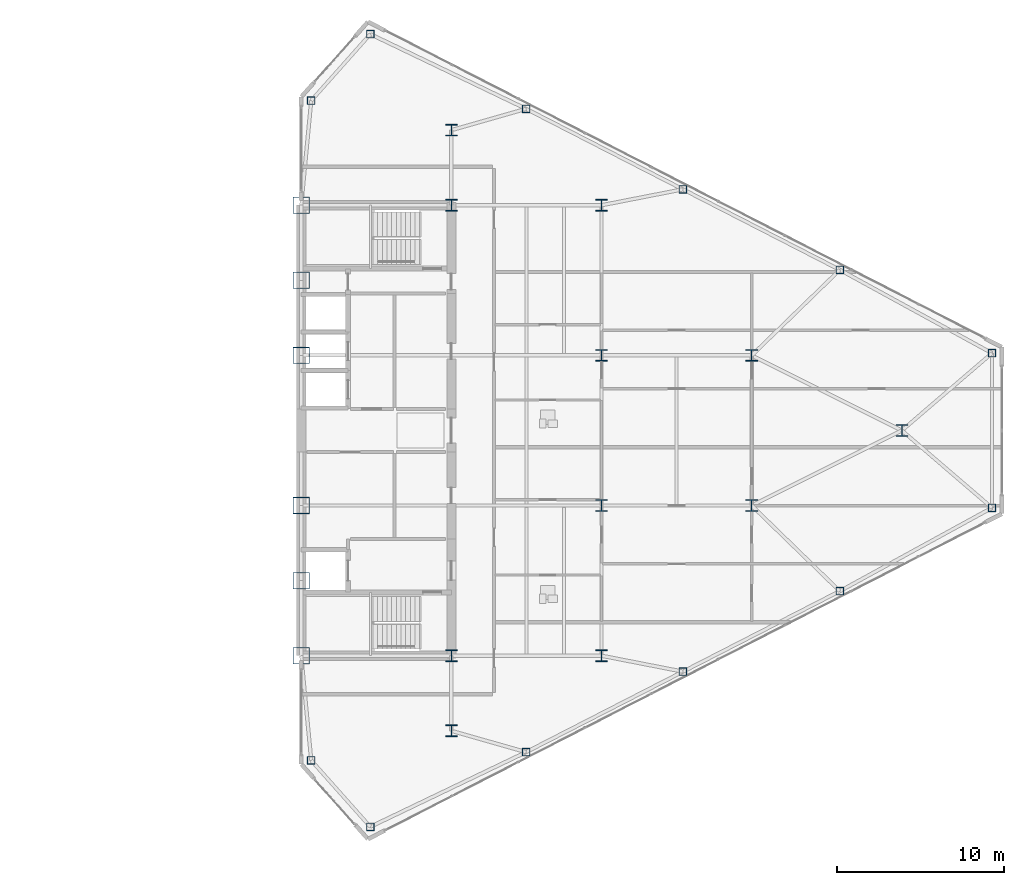
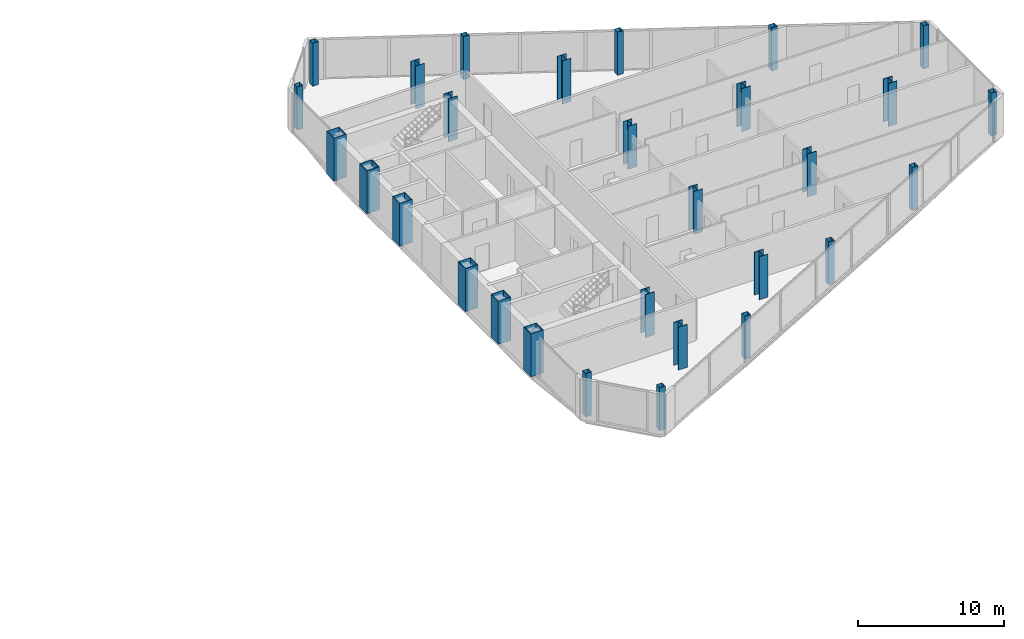
# One storey, part 2 of 23: 29 columns.
"""IFC4 building model written with IfcOpenShell, lengths in metres."""

from ifc_helpers import new_model, si_unit, direction, frame, origin, origin_2d, place, context, subcontext, project, spatial, hollow_rectangle, i_section, extrude, source, transform, mapped, material, material_profile, profile_set, type_object, type_shapes, element, save


model = new_model("IFC4")

# Units and contexts
model_context = context("Model", 3, precision=1e-05, world=origin(), true_north=direction((0.0, 1.0)))
body_context = subcontext(model_context, "Body", "Model", "MODEL_VIEW")
ifc_project = project(units=[si_unit("LENGTHUNIT", "METRE"), si_unit("AREAUNIT", "SQUARE_METRE"), si_unit("VOLUMEUNIT", "CUBIC_METRE"), si_unit("PLANEANGLEUNIT", "RADIAN"), si_unit("MASSUNIT", "GRAM", prefix="KILO")], contexts=[model_context])

# Site, building, storey
site_placement = place(None, origin())
site = spatial("IfcSite", under=ifc_project, at=site_placement, CompositionType="ELEMENT")
building_placement = place(site_placement, origin())
building = spatial("IfcBuilding", under=site, at=building_placement, Name="Seokmaru Belvedere", CompositionType="ELEMENT")
storey_placement = place(building_placement, frame((0.0, 0.0, 144.0)))
storey = spatial("IfcBuildingStorey", under=building, at=storey_placement, Name="L38", CompositionType="ELEMENT", Elevation=144.0)

# Columns
ifc_material_1 = material(Name="Steel HSA650 (650 MPa)", Category="steel")
ifc_material_profile_1 = material_profile(ifc_material_1, hollow_rectangle(XDim=1.0, YDim=1.0, WallThickness=0.0419921875, at=origin_2d()), Name="BOX-1000x1000x42")
ifc_profile_set_1 = profile_set([ifc_material_profile_1], Name="Steel HSA650 (650 MPa)")
column_type_1 = type_object("IfcColumnType", Name="Portal Spine Column BOX-1000", PredefinedType="COLUMN", material=ifc_profile_set_1)
shared_shape_1 = source(origin(), body_context, "Body", "SweptSolid", [
    extrude(hollow_rectangle(XDim=1.0, YDim=1.0, WallThickness=0.0419921875, at=origin_2d()), origin(), (0.0, 0.0, 1.0), 3.60009765625),
])
type_shapes(column_type_1, [shared_shape_1])
for number, where, z_axis, x_axis, name in (
    (1, (27.5, -13.5, 0.0), (0.0, 0.0, 1.0), (1.0, 0.0, 0.0), "L38 Column ES1"),
    (2, (27.5, -9.0, 0.0), (0.0, 0.0, 1.0), (1.0, 0.0, 0.0), "L38 Column ES2"),
    (3, (27.5, -4.5, 0.0), (0.0, 0.0, 1.0), (1.0, 0.0, 0.0), "L38 Column ES3"),
    (4, (27.5, 4.5, 0.0), (0.0, 0.0, 1.0), (1.0, 0.0, 0.0), "L38 Column ES4"),
    (5, (27.5, 9.0, 0.0), (0.0, 0.0, 1.0), (1.0, 0.0, 0.0), "L38 Column ES5"),
    (6, (27.5, 13.5, 0.0), (0.0, 0.0, 1.0), (1.0, 0.0, 0.0), "L38 Column ES6"),
):
    element("IfcColumn", number, at=place(storey_placement, frame(where, z_axis=z_axis, x_axis=x_axis)), inside=storey, type_object=column_type_1, Name=name, PredefinedType="COLUMN", context=body_context, shape_type="MappedRepresentation", body=[
        mapped(shared_shape_1, transform((0.0, 0.0, 0.0), scale=1.0)),
    ])
ifc_material_2 = material(Name="Steel SM355 (355 MPa)", Category="steel")
ifc_material_profile_2 = material_profile(ifc_material_2, i_section(OverallWidth=0.699951171875, OverallDepth=0.699951171875, WebThickness=0.028076171875, FlangeThickness=0.044921875, at=origin_2d()), Name="H-700x700x28x45")
ifc_profile_set_2 = profile_set([ifc_material_profile_2], Name="Steel SM355 (355 MPa)")
column_type_2 = type_object("IfcColumnType", Name="Mid Interior Column H-700", PredefinedType="COLUMN", material=ifc_profile_set_2)
shared_shape_2 = source(origin(), body_context, "Body", "SweptSolid", [
    extrude(i_section(OverallWidth=0.699951171875, OverallDepth=0.699951171875, WebThickness=0.028076171875, FlangeThickness=0.044921875, at=origin_2d()), origin(), (0.0, 0.0, 1.0), 3.60009765625),
])
type_shapes(column_type_2, [shared_shape_2])
for number, where, z_axis, x_axis, name in (
    (7, (36.5, -18.0, 0.0), (0.0, 0.0, 1.0), (1.0, 0.0, 0.0), "L38 Column EC1"),
    (8, (36.5, -13.5, 0.0), (0.0, 0.0, 1.0), (1.0, 0.0, 0.0), "L38 Column EC2"),
    (9, (36.5, 13.5, 0.0), (0.0, 0.0, 1.0), (1.0, 0.0, 0.0), "L38 Column EC3"),
    (10, (36.5, 18.0, 0.0), (0.0, 0.0, 1.0), (1.0, 0.0, 0.0), "L38 Column EC4"),
    (11, (45.5, -13.5, 0.0), (0.0, 0.0, 1.0), (1.0, 0.0, 0.0), "L38 Column EG5_1"),
    (12, (45.5, -4.5, 0.0), (0.0, 0.0, 1.0), (1.0, 0.0, 0.0), "L38 Column EG5_2"),
    (13, (45.5, 4.5, 0.0), (0.0, 0.0, 1.0), (1.0, 0.0, 0.0), "L38 Column EG5_3"),
    (14, (45.5, 13.5, 0.0), (0.0, 0.0, 1.0), (1.0, 0.0, 0.0), "L38 Column EG5_4"),
    (15, (54.5, -4.5, 0.0), (0.0, 0.0, 1.0), (1.0, 0.0, 0.0), "L38 Column EG4P_1"),
    (16, (54.5, 4.5, 0.0), (0.0, 0.0, 1.0), (1.0, 0.0, 0.0), "L38 Column EG4P_2"),
    (17, (63.5, 0.0, 0.0), (0.0, 0.0, 1.0), (1.0, 0.0, 0.0), "L38 Column EG3P_1"),
):
    element("IfcColumn", number, at=place(storey_placement, frame(where, z_axis=z_axis, x_axis=x_axis)), inside=storey, type_object=column_type_2, Name=name, PredefinedType="COLUMN", context=body_context, shape_type="MappedRepresentation", body=[
        mapped(shared_shape_2, transform((0.0, 0.0, 0.0), scale=1.0)),
    ])
ifc_material_profile_3 = material_profile(ifc_material_2, hollow_rectangle(XDim=0.449951171875, YDim=0.449951171875, WallThickness=0.01806640625, at=origin_2d()), Name="HSS-450x450x18")
ifc_profile_set_3 = profile_set([ifc_material_profile_3], Name="Steel SM355 (355 MPa)")
column_type_3 = type_object("IfcColumnType", Name="Perimeter Facet Column HSS-450", PredefinedType="COLUMN", material=ifc_profile_set_3)
shared_shape_3 = source(origin(), body_context, "Body", "SweptSolid", [
    extrude(hollow_rectangle(XDim=0.449951171875, YDim=0.449951171875, WallThickness=0.01806640625, at=origin_2d()), origin(), (0.0, 0.0, 1.0), 3.60009765625),
])
type_shapes(column_type_3, [shared_shape_3])
for number, where, z_axis, x_axis, name in (
    (18, (31.6396484375, -23.75390625, 0.0), (0.0, 0.0, 1.0), (1.0, 0.0, 0.0), "L38 Column EF1"),
    (19, (68.89990234375, -4.633544921875, 0.0), (0.0, 0.0, 1.0), (1.0, 0.0, 0.0), "L38 Column EF2"),
    (20, (68.89990234375, 4.633544921875, 0.0), (0.0, 0.0, 1.0), (1.0, 0.0, 0.0), "L38 Column EF3"),
    (21, (31.6396484375, 23.75390625, 0.0), (0.0, 0.0, 1.0), (1.0, 0.0, 0.0), "L38 Column EF4"),
    (22, (28.10009765625, 19.77197265625, 0.0), (0.0, 0.0, 1.0), (1.0, 0.0, 0.0), "L38 Column EF5"),
    (23, (28.10009765625, -19.77197265625, 0.0), (0.0, 0.0, 1.0), (1.0, 0.0, 0.0), "L38 Column EF6"),
    (24, (40.975830078125, -19.277587890625, 0.0), (0.0, 0.0, 1.0), (1.0, 0.0, 0.0), "L38 Column EFLK_S1"),
    (25, (50.377197265625, -14.453369140625, 0.0), (0.0, 0.0, 1.0), (1.0, 0.0, 0.0), "L38 Column EFLK_S2"),
    (26, (59.778564453125, -9.62890625, 0.0), (0.0, 0.0, 1.0), (1.0, 0.0, 0.0), "L38 Column EFLK_S3"),
    (27, (40.975830078125, 19.277587890625, 0.0), (0.0, 0.0, 1.0), (1.0, 0.0, 0.0), "L38 Column EFLK_N1"),
    (28, (50.377197265625, 14.453369140625, 0.0), (0.0, 0.0, 1.0), (1.0, 0.0, 0.0), "L38 Column EFLK_N2"),
    (29, (59.778564453125, 9.62890625, 0.0), (0.0, 0.0, 1.0), (1.0, 0.0, 0.0), "L38 Column EFLK_N3"),
):
    element("IfcColumn", number, at=place(storey_placement, frame(where, z_axis=z_axis, x_axis=x_axis)), inside=storey, type_object=column_type_3, Name=name, PredefinedType="COLUMN", context=body_context, shape_type="MappedRepresentation", body=[
        mapped(shared_shape_3, transform((0.0, 0.0, 0.0), scale=1.0)),
    ])

save(model, "model.ifc")
